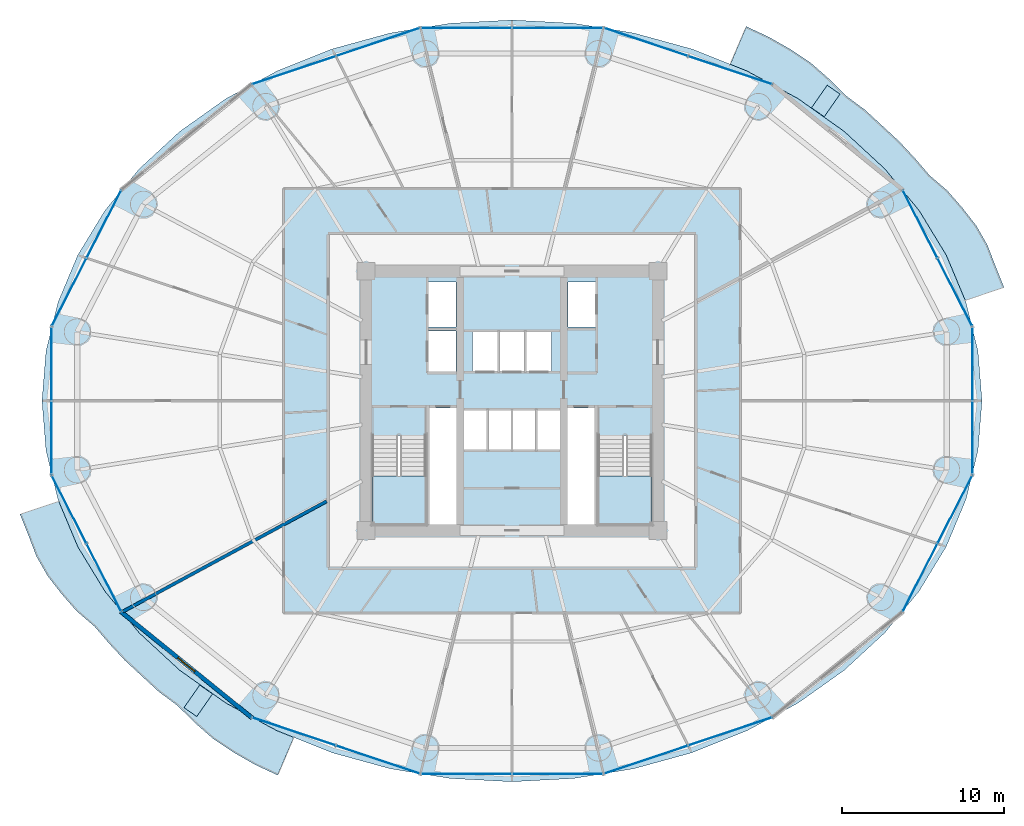
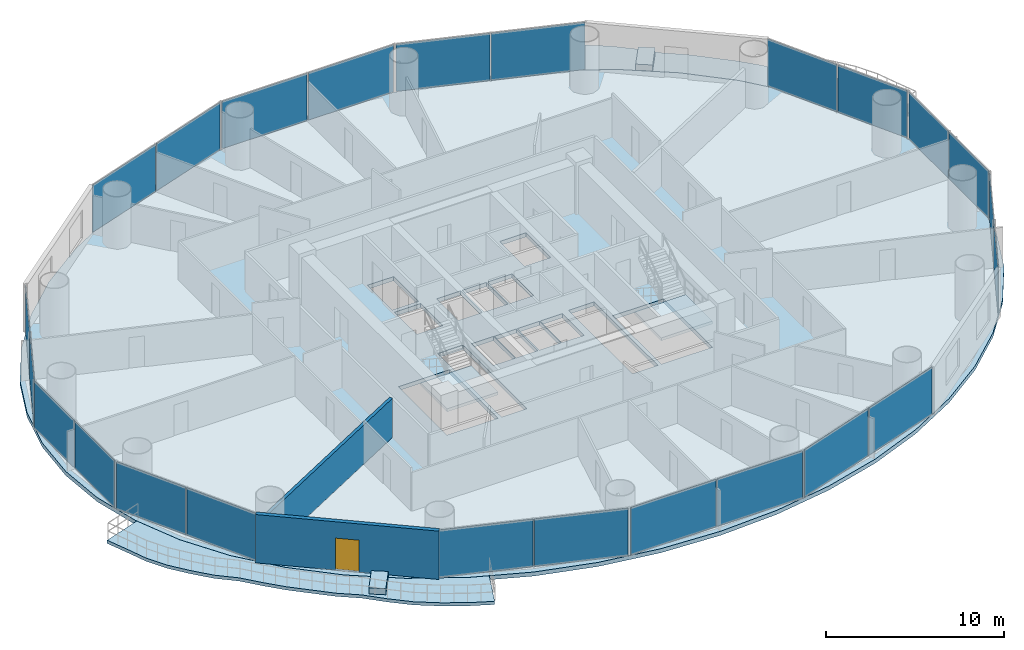
# One storey, part 22 of 30: 24 plates, 7 slabs, 2 walls, 1 door, 1 opening, 14 elements without a shape of their own.
"""IFC4 building model written with IfcOpenShell, lengths in metres."""

from ifc_helpers import new_model, si_unit, direction, frame, frame_2d, origin, origin_2d, place, context, subcontext, project, spatial, polyline, rectangle, outline, extrude, source, transform, mapped, material, layer, layer_set, type_object, element, fill, aggregate, save


model = new_model("IFC4")

# Units and contexts
model_context = context("Model", 3, precision=1e-05, world=origin(), true_north=direction((-0.2419218956, 0.970295726276)))
body_context = subcontext(model_context, "Body", "Model", "MODEL_VIEW")
ifc_project = project(units=[si_unit("LENGTHUNIT", "METRE"), si_unit("AREAUNIT", "SQUARE_METRE"), si_unit("VOLUMEUNIT", "CUBIC_METRE"), si_unit("PLANEANGLEUNIT", "RADIAN"), si_unit("MASSUNIT", "GRAM", prefix="KILO")], contexts=[model_context])

# Site, building, storey
site_placement = place(None, origin())
site = spatial("IfcSite", under=ifc_project, at=site_placement, CompositionType="ELEMENT")
building_placement = place(site_placement, origin())
building = spatial("IfcBuilding", under=site, at=building_placement, Name="Cobrevalo Terracotta Tower", CompositionType="ELEMENT")
storey_placement = place(building_placement, frame((0.0, 0.0, 63.60009765625)))
storey = spatial("IfcBuildingStorey", under=building, at=storey_placement, Name="L16", CompositionType="ELEMENT", Elevation=63.60009765625)

# Stair, slab
ifc_material_1 = material(Name="Concrete C50", Category="concrete")
stair_type = type_object("IfcStairType", Name="Core protected escape dogleg stair 1600", PredefinedType="HALF_TURN_STAIR", material=ifc_material_1)
stair_1_placement = place(storey_placement, origin())
stair_1 = element("IfcStair", 1, at=stair_1_placement, inside=storey, type_object=stair_type, Name="L16 Protected exit stair ST-1", PredefinedType="HALF_TURN_STAIR")
ifc_layer_1 = layer(ifc_material_1, 0.199951171875)
ifc_layer_set_1 = layer_set([ifc_layer_1], Name="Concrete C50")
slab_type_1 = type_object("IfcSlabType", Name="Reinforced Concrete Stair Landing 200", PredefinedType="LANDING", material=ifc_layer_set_1)
slab_1_placement = place(storey_placement, frame((0.0, 0.0, 1.599853515625)))
slab_1 = element("IfcSlab", 2, at=slab_1_placement, type_object=slab_type_1, Name="ST-1 landing 1", PredefinedType="LANDING", context=body_context, shape_type="SweptSolid", body=[
    extrude(outline(polyline([(29.375, 22.179931640625), (29.375, 19.175048828125), (32.695068359375, 19.175048828125), (32.695068359375, 22.179931640625), (29.375, 22.179931640625)])), origin(), (0.0, 0.0, 1.0), 0.199951171875),
])
aggregate(stair_1, [slab_1])

stair_2_placement = place(storey_placement, origin())
stair_2 = element("IfcStair", 3, at=stair_2_placement, inside=storey, type_object=stair_type, Name="L16 Protected exit stair ST-2", PredefinedType="HALF_TURN_STAIR")
slab_2_placement = place(storey_placement, frame((0.0, 0.0, 1.599853515625)))
slab_2 = element("IfcSlab", 4, at=slab_2_placement, type_object=slab_type_1, Name="ST-2 landing 1", PredefinedType="LANDING", context=body_context, shape_type="SweptSolid", body=[
    extrude(outline(polyline([(43.304931640625, 22.179931640625), (43.304931640625, 19.175048828125), (46.625, 19.175048828125), (46.625, 22.179931640625), (43.304931640625, 22.179931640625)])), origin(), (0.0, 0.0, 1.0), 0.199951171875),
])
aggregate(stair_2, [slab_2])

# Slabs
ifc_material_2 = material(Name="Concrete C45", Category="concrete")
ifc_layer_2 = layer(ifc_material_2, 0.219970703125)
ifc_layer_set_2 = layer_set([ifc_layer_2], Name="Concrete C45")
slab_type_2 = type_object("IfcSlabType", Name="Spiralling cantilevered balcony lobe slab 220 mm", PredefinedType="FLOOR", material=ifc_layer_set_2)
slab_3_placement = place(storey_placement, frame((0.0, 0.0, -0.22021484375)))
element("IfcSlab", 5, at=slab_3_placement, inside=storey, type_object=slab_type_2, Name="L16 spiralling arc balcony slab lobe 1", PredefinedType="FLOOR", context=body_context, shape_type="SweptSolid", body=[
    extrude(outline(polyline([(68.3564453125, 33.796630859375), (67.83935546875, 35.085693359375), (67.342041015625, 36.38427734375), (66.65087890625, 37.6005859375), (65.78125, 38.71875), (64.857666015625, 39.77294921875), (63.76513671875, 40.711181640625), (62.85400390625, 41.77197265625), (61.89404296875, 42.802978515625), (60.84521484375, 43.7744140625), (59.79443359375, 44.7412109375), (58.62646484375, 45.612060546875), (57.568115234375, 46.6572265625), (56.43896484375, 47.649169921875), (55.17431640625, 48.49267578125), (53.85400390625, 49.2451171875), (52.458740234375, 49.896728515625), (51.466552734375, 47.566650390625), (52.5009765625, 47.1533203125), (55.6552734375, 45.4453125), (58.507568359375, 43.41845703125), (61.0087890625, 41.107177734375), (63.116455078125, 38.551025390625), (64.79443359375, 35.7939453125), (65.96826171875, 32.991455078125), (68.3564453125, 33.796630859375)])), origin(), (0.0, 0.0, 1.0), 0.22021484375),
])
slab_4_placement = place(storey_placement, frame((0.0, 0.0, -0.22021484375)))
element("IfcSlab", 6, at=slab_4_placement, inside=storey, type_object=slab_type_2, Name="L16 spiralling arc balcony slab lobe 2", PredefinedType="FLOOR", context=body_context, shape_type="SweptSolid", body=[
    extrude(outline(polyline([(7.6435546875, 19.80322265625), (8.16064453125, 18.514404296875), (8.657958984375, 17.2158203125), (9.34912109375, 15.99951171875), (10.21875, 14.88134765625), (11.142333984375, 13.826904296875), (12.23486328125, 12.888671875), (13.14599609375, 11.827880859375), (14.10595703125, 10.797119140625), (15.15478515625, 9.825439453125), (16.20556640625, 8.85888671875), (17.37353515625, 7.988037109375), (18.431884765625, 6.94287109375), (19.56103515625, 5.95068359375), (20.82568359375, 5.107421875), (22.14599609375, 4.354736328125), (23.541259765625, 3.703369140625), (24.533447265625, 6.033203125), (23.4990234375, 6.44677734375), (20.3447265625, 8.154541015625), (17.492431640625, 10.181640625), (14.9912109375, 12.492919921875), (12.883544921875, 15.049072265625), (11.20556640625, 17.80615234375), (10.03173828125, 20.6083984375), (7.6435546875, 19.80322265625)])), origin(), (0.0, 0.0, 1.0), 0.22021484375),
])
ifc_material_3 = material(Name="Precast concrete C45", Category="concrete")
ifc_layer_3 = layer(ifc_material_3, 0.419921875)
ifc_layer_set_3 = layer_set([ifc_layer_3], Name="Precast concrete C45")
slab_type_3 = type_object("IfcSlabType", Name="Structural tree planter trough base 420 mm", PredefinedType="USERDEFINED", material=ifc_layer_set_3)
slab_5_placement = place(storey_placement, origin())
element("IfcSlab", 7, at=slab_5_placement, inside=storey, type_object=slab_type_3, Name="L16 structural tree planter trough 1", ObjectType="PLANTER", PredefinedType="USERDEFINED", context=body_context, shape_type="SweptSolid", body=[
    extrude(outline(polyline([(57.2666015625, 44.33203125), (58.237548828125, 45.7275390625), (57.449462890625, 46.27587890625), (56.478515625, 44.88037109375), (57.2666015625, 44.33203125)])), origin(), (0.0, 0.0, 1.0), 0.419921875),
])
slab_6_placement = place(storey_placement, origin())
element("IfcSlab", 8, at=slab_6_placement, inside=storey, type_object=slab_type_3, Name="L16 structural tree planter trough 2", ObjectType="PLANTER", PredefinedType="USERDEFINED", context=body_context, shape_type="SweptSolid", body=[
    extrude(outline(polyline([(18.7333984375, 9.267822265625), (17.762451171875, 7.872314453125), (18.550537109375, 7.32421875), (19.521484375, 8.7197265625), (18.7333984375, 9.267822265625)])), origin(), (0.0, 0.0, 1.0), 0.419921875),
])
ifc_layer_4 = layer(ifc_material_1, 0.280029296875)
ifc_layer_set_4 = layer_set([ifc_layer_4], Name="Concrete C50")
slab_type_4 = type_object("IfcSlabType", Name="Zone Z1 elliptical floor plate 280 mm", PredefinedType="FLOOR", material=ifc_layer_set_4)
slab_7_placement = place(storey_placement, frame((0.0, 0.0, -0.280029296875)))
element("IfcSlab", 9, at=slab_7_placement, inside=storey, type_object=slab_type_4, Name="L16 indoor elliptical floor slab", PredefinedType="FLOOR", context=body_context, shape_type="SweptSolid", body=[
    extrude(outline(polyline([(66.751953125, 23.732666015625), (66.011962890625, 20.7177734375), (64.79248046875, 17.806884765625), (63.11474609375, 15.050048828125), (61.00732421875, 12.494140625), (58.506103515625, 10.18310546875), (55.654052734375, 8.15625), (52.5, 6.448486328125), (49.097900390625, 5.0888671875), (45.505859375, 4.100830078125), (41.78515625, 3.5009765625), (38.0, 3.300048828125), (34.21484375, 3.5009765625), (30.494140625, 4.100830078125), (26.902099609375, 5.0888671875), (23.5, 6.448486328125), (20.345947265625, 8.15625), (17.493896484375, 10.18310546875), (14.99267578125, 12.494140625), (12.88525390625, 15.050048828125), (11.20751953125, 17.806884765625), (9.988037109375, 20.7177734375), (9.248046875, 23.732666015625), (9.0, 26.800048828125), (9.248046875, 29.867431640625), (9.988037109375, 32.88232421875), (11.20751953125, 35.79296875), (12.88525390625, 38.550048828125), (14.99267578125, 41.10595703125), (17.493896484375, 43.4169921875), (20.345947265625, 45.44384765625), (23.5, 47.151611328125), (26.902099609375, 48.51123046875), (30.494140625, 49.499267578125), (34.21484375, 50.098876953125), (38.0, 50.300048828125), (41.78515625, 50.098876953125), (45.505859375, 49.499267578125), (49.097900390625, 48.51123046875), (52.5, 47.151611328125), (55.654052734375, 45.44384765625), (58.506103515625, 43.4169921875), (61.00732421875, 41.10595703125), (63.11474609375, 38.550048828125), (64.79248046875, 35.79296875), (66.011962890625, 32.88232421875), (66.751953125, 29.867431640625), (67.0, 26.800048828125), (66.751953125, 23.732666015625)]), holes=[polyline([(32.695068359375, 19.175048828125), (32.695068359375, 24.659912109375), (29.375, 24.659912109375), (29.375, 19.175048828125), (32.695068359375, 19.175048828125)]), polyline([(34.574951171875, 19.175048828125), (34.574951171875, 26.360107421875), (32.919921875, 26.360107421875), (32.919921875, 19.175048828125), (34.574951171875, 19.175048828125)]), polyline([(36.47998046875, 23.800048828125), (36.47998046875, 26.25), (35.050048828125, 26.25), (35.050048828125, 23.800048828125), (36.47998046875, 23.800048828125)]), polyline([(37.9599609375, 23.800048828125), (37.9599609375, 26.25), (36.530029296875, 26.25), (36.530029296875, 23.800048828125), (37.9599609375, 23.800048828125)]), polyline([(37.1201171875, 28.60009765625), (37.1201171875, 31.050048828125), (35.550048828125, 31.050048828125), (35.550048828125, 28.60009765625), (37.1201171875, 28.60009765625)]), polyline([(34.550048828125, 28.60009765625), (34.550048828125, 31.10009765625), (32.85009765625, 31.10009765625), (32.85009765625, 28.60009765625), (34.550048828125, 28.60009765625)]), polyline([(34.550048828125, 31.35009765625), (34.550048828125, 34.14990234375), (32.85009765625, 34.14990234375), (32.85009765625, 31.35009765625), (34.550048828125, 31.35009765625)]), polyline([(46.625, 19.175048828125), (46.625, 24.659912109375), (43.304931640625, 24.659912109375), (43.304931640625, 19.175048828125), (46.625, 19.175048828125)]), polyline([(43.080078125, 19.175048828125), (43.080078125, 26.360107421875), (41.425048828125, 26.360107421875), (41.425048828125, 19.175048828125), (43.080078125, 19.175048828125)]), polyline([(39.469970703125, 23.800048828125), (39.469970703125, 26.25), (38.0400390625, 26.25), (38.0400390625, 23.800048828125), (39.469970703125, 23.800048828125)]), polyline([(40.949951171875, 23.800048828125), (40.949951171875, 26.25), (39.52001953125, 26.25), (39.52001953125, 23.800048828125), (40.949951171875, 23.800048828125)]), polyline([(38.780029296875, 28.60009765625), (38.780029296875, 31.050048828125), (37.219970703125, 31.050048828125), (37.219970703125, 28.60009765625), (38.780029296875, 28.60009765625)]), polyline([(40.449951171875, 28.60009765625), (40.449951171875, 31.050048828125), (38.8798828125, 31.050048828125), (38.8798828125, 28.60009765625), (40.449951171875, 28.60009765625)]), polyline([(43.14990234375, 31.35009765625), (43.14990234375, 34.14990234375), (41.449951171875, 34.14990234375), (41.449951171875, 31.35009765625), (43.14990234375, 31.35009765625)])]), origin(), (0.0, 0.0, 1.0), 0.280029296875),
])

# Curtain wall, plates
ifc_material_4 = material(Name="Anodized aluminium", Category="aluminium")
curtain_wall_type = type_object("IfcCurtainWallType", Name="Lower-tower unitised acoustic low-E curtain wall CW-U1", PredefinedType="NOTDEFINED", material=ifc_material_4)
curtain_wall_1_placement = place(storey_placement, origin())
curtain_wall_1 = element("IfcCurtainWall", 10, at=curtain_wall_1_placement, inside=storey, type_object=curtain_wall_type, Name="L16 curtain wall CW-L16-S03", PredefinedType="NOTDEFINED")
ifc_material_5 = material(Name="Solar-control low-E double glazing", Category="glass")
ifc_layer_5 = layer(ifc_material_5, 0.028076171875)
ifc_layer_set_5 = layer_set([ifc_layer_5], Name="Solar-control low-E double glazing")
plate_type = type_object("IfcPlateType", Name="Tower solar-control low-E vision glass panel 28 mm", PredefinedType="CURTAIN_PANEL", material=ifc_layer_set_5)
shared_shape_1 = source(origin(), body_context, "Body", "SweptSolid", [
    extrude(rectangle(XDim=5.3876953125, YDim=0.035888671875, at=origin_2d()), origin(), (0.0, 0.0, 1.0), 3.239990234375),
])
plate_1_placement = place(storey_placement, frame((51.465087890625, 47.197021484375, 0.0400390625), z_axis=(0.0, 0.0, 1.0), x_axis=(-0.948044172593, 0.318138722592, 0.0)))
plate_1 = element("IfcPlate", 11, at=plate_1_placement, type_object=plate_type, Name="CW-L16-S03 glazing panel B01", PredefinedType="CURTAIN_PANEL", context=body_context, shape_type="MappedRepresentation", body=[
    mapped(shared_shape_1, transform((0.0, 0.0, 0.0), scale=1.0)),
])
plate_2_placement = place(storey_placement, frame((46.281494140625, 48.9365234375, 0.0400390625), z_axis=(0.0, 0.0, 1.0), x_axis=(-0.948044172593, 0.318138722592, 0.0)))
plate_2 = element("IfcPlate", 12, at=plate_2_placement, type_object=plate_type, Name="CW-L16-S03 glazing panel B02", PredefinedType="CURTAIN_PANEL", context=body_context, shape_type="MappedRepresentation", body=[
    mapped(shared_shape_1, transform((0.0, 0.0, 0.0), scale=1.0)),
])
aggregate(curtain_wall_1, [plate_1, plate_2])

curtain_wall_2_placement = place(storey_placement, origin())
curtain_wall_2 = element("IfcCurtainWall", 13, at=curtain_wall_2_placement, inside=storey, type_object=curtain_wall_type, Name="L16 curtain wall CW-L16-S05", PredefinedType="NOTDEFINED")
plate_3_placement = place(storey_placement, frame((29.718505859375, 48.9365234375, 0.0400390625), z_axis=(0.0, 0.0, 1.0), x_axis=(-0.948044172593, -0.318138722592, 0.0)))
plate_3 = element("IfcPlate", 14, at=plate_3_placement, type_object=plate_type, Name="CW-L16-S05 glazing panel B01", PredefinedType="CURTAIN_PANEL", context=body_context, shape_type="MappedRepresentation", body=[
    mapped(shared_shape_1, transform((0.0, 0.0, 0.0), scale=1.0)),
])
plate_4_placement = place(storey_placement, frame((24.534912109375, 47.197021484375, 0.0400390625), z_axis=(0.0, 0.0, 1.0), x_axis=(-0.948044172593, -0.318138722592, 0.0)))
plate_4 = element("IfcPlate", 15, at=plate_4_placement, type_object=plate_type, Name="CW-L16-S05 glazing panel B02", PredefinedType="CURTAIN_PANEL", context=body_context, shape_type="MappedRepresentation", body=[
    mapped(shared_shape_1, transform((0.0, 0.0, 0.0), scale=1.0)),
])
aggregate(curtain_wall_2, [plate_3, plate_4])

curtain_wall_3_placement = place(storey_placement, origin())
curtain_wall_3 = element("IfcCurtainWall", 16, at=curtain_wall_3_placement, inside=storey, type_object=curtain_wall_type, Name="L16 curtain wall CW-L16-S11", PredefinedType="NOTDEFINED")
plate_5_placement = place(storey_placement, frame((24.534912109375, 6.40283203125, 0.0400390625), z_axis=(0.0, 0.0, 1.0), x_axis=(0.948044172593, -0.318138722592, 0.0)))
plate_5 = element("IfcPlate", 17, at=plate_5_placement, type_object=plate_type, Name="CW-L16-S11 glazing panel B01", PredefinedType="CURTAIN_PANEL", context=body_context, shape_type="MappedRepresentation", body=[
    mapped(shared_shape_1, transform((0.0, 0.0, 0.0), scale=1.0)),
])
plate_6_placement = place(storey_placement, frame((29.718505859375, 4.663330078125, 0.0400390625), z_axis=(0.0, 0.0, 1.0), x_axis=(0.948044172593, -0.318138722592, 0.0)))
plate_6 = element("IfcPlate", 18, at=plate_6_placement, type_object=plate_type, Name="CW-L16-S11 glazing panel B02", PredefinedType="CURTAIN_PANEL", context=body_context, shape_type="MappedRepresentation", body=[
    mapped(shared_shape_1, transform((0.0, 0.0, 0.0), scale=1.0)),
])
aggregate(curtain_wall_3, [plate_5, plate_6])

curtain_wall_4_placement = place(storey_placement, origin())
curtain_wall_4 = element("IfcCurtainWall", 19, at=curtain_wall_4_placement, inside=storey, type_object=curtain_wall_type, Name="L16 curtain wall CW-L16-S13", PredefinedType="NOTDEFINED")
plate_7_placement = place(storey_placement, frame((46.281494140625, 4.663330078125, 0.0400390625), z_axis=(0.0, 0.0, 1.0), x_axis=(0.948044172593, 0.318138722592, 0.0)))
plate_7 = element("IfcPlate", 20, at=plate_7_placement, type_object=plate_type, Name="CW-L16-S13 glazing panel B01", PredefinedType="CURTAIN_PANEL", context=body_context, shape_type="MappedRepresentation", body=[
    mapped(shared_shape_1, transform((0.0, 0.0, 0.0), scale=1.0)),
])
plate_8_placement = place(storey_placement, frame((51.465087890625, 6.40283203125, 0.0400390625), z_axis=(0.0, 0.0, 1.0), x_axis=(0.948044172593, 0.318138722592, 0.0)))
plate_8 = element("IfcPlate", 21, at=plate_8_placement, type_object=plate_type, Name="CW-L16-S13 glazing panel B02", PredefinedType="CURTAIN_PANEL", context=body_context, shape_type="MappedRepresentation", body=[
    mapped(shared_shape_1, transform((0.0, 0.0, 0.0), scale=1.0)),
])
aggregate(curtain_wall_4, [plate_7, plate_8])

curtain_wall_5_placement = place(storey_placement, origin())
curtain_wall_5 = element("IfcCurtainWall", 22, at=curtain_wall_5_placement, inside=storey, type_object=curtain_wall_type, Name="L16 curtain wall CW-L16-S04", PredefinedType="NOTDEFINED")
shared_shape_2 = source(origin(), body_context, "Body", "SweptSolid", [
    extrude(rectangle(XDim=5.53173828125, YDim=0.035888671875, at=origin_2d()), origin(), (0.0, 0.0, 1.0), 3.239990234375),
])
plate_9_placement = place(storey_placement, frame((40.805908203125, 49.819091796875, 0.0400390625), z_axis=(0.0, 0.0, 1.0), x_axis=(-1.0, 0.0, 0.0)))
plate_9 = element("IfcPlate", 23, at=plate_9_placement, type_object=plate_type, Name="CW-L16-S04 glazing panel B01", PredefinedType="CURTAIN_PANEL", context=body_context, shape_type="MappedRepresentation", body=[
    mapped(shared_shape_2, transform((0.0, 0.0, 0.0), scale=1.0)),
])
plate_10_placement = place(storey_placement, frame((35.194091796875, 49.819091796875, 0.0400390625), z_axis=(0.0, 0.0, 1.0), x_axis=(-1.0, 0.0, 0.0)))
plate_10 = element("IfcPlate", 24, at=plate_10_placement, type_object=plate_type, Name="CW-L16-S04 glazing panel B02", PredefinedType="CURTAIN_PANEL", context=body_context, shape_type="MappedRepresentation", body=[
    mapped(shared_shape_2, transform((0.0, 0.0, 0.0), scale=1.0)),
])
aggregate(curtain_wall_5, [plate_9, plate_10])

curtain_wall_6_placement = place(storey_placement, origin())
curtain_wall_6 = element("IfcCurtainWall", 25, at=curtain_wall_6_placement, inside=storey, type_object=curtain_wall_type, Name="L16 curtain wall CW-L16-S12", PredefinedType="NOTDEFINED")
plate_11_placement = place(storey_placement, frame((35.194091796875, 3.781005859375, 0.0400390625), z_axis=(0.0, 0.0, 1.0), x_axis=(1.0, 0.0, 0.0)))
plate_11 = element("IfcPlate", 26, at=plate_11_placement, type_object=plate_type, Name="CW-L16-S12 glazing panel B01", PredefinedType="CURTAIN_PANEL", context=body_context, shape_type="MappedRepresentation", body=[
    mapped(shared_shape_2, transform((0.0, 0.0, 0.0), scale=1.0)),
])
plate_12_placement = place(storey_placement, frame((40.805908203125, 3.781005859375, 0.0400390625), z_axis=(0.0, 0.0, 1.0), x_axis=(1.0, 0.0, 0.0)))
plate_12 = element("IfcPlate", 27, at=plate_12_placement, type_object=plate_type, Name="CW-L16-S12 glazing panel B02", PredefinedType="CURTAIN_PANEL", context=body_context, shape_type="MappedRepresentation", body=[
    mapped(shared_shape_2, transform((0.0, 0.0, 0.0), scale=1.0)),
])
aggregate(curtain_wall_6, [plate_11, plate_12])

curtain_wall_7_placement = place(storey_placement, origin())
curtain_wall_7 = element("IfcCurtainWall", 28, at=curtain_wall_7_placement, inside=storey, type_object=curtain_wall_type, Name="L16 curtain wall CW-L16-S08", PredefinedType="NOTDEFINED")
shared_shape_3 = source(origin(), body_context, "Body", "SweptSolid", [
    extrude(rectangle(XDim=4.458740234375, YDim=0.035888671875, at=origin_2d()), origin(), (0.0, 0.0, 1.0), 3.239990234375),
])
plate_13_placement = place(storey_placement, frame((9.586669921875, 29.0693359375, 0.0400390625), z_axis=(0.0, 0.0, 1.0), x_axis=(0.0, -1.0, 0.0)))
plate_13 = element("IfcPlate", 29, at=plate_13_placement, type_object=plate_type, Name="CW-L16-S08 glazing panel B01", PredefinedType="CURTAIN_PANEL", context=body_context, shape_type="MappedRepresentation", body=[
    mapped(shared_shape_3, transform((0.0, 0.0, 0.0), scale=1.0)),
])
plate_14_placement = place(storey_placement, frame((9.586669921875, 24.530517578125, 0.0400390625), z_axis=(0.0, 0.0, 1.0), x_axis=(0.0, -1.0, 0.0)))
plate_14 = element("IfcPlate", 30, at=plate_14_placement, type_object=plate_type, Name="CW-L16-S08 glazing panel B02", PredefinedType="CURTAIN_PANEL", context=body_context, shape_type="MappedRepresentation", body=[
    mapped(shared_shape_3, transform((0.0, 0.0, 0.0), scale=1.0)),
])
aggregate(curtain_wall_7, [plate_13, plate_14])

curtain_wall_8_placement = place(storey_placement, origin())
curtain_wall_8 = element("IfcCurtainWall", 31, at=curtain_wall_8_placement, inside=storey, type_object=curtain_wall_type, Name="L16 curtain wall CW-L16-S16", PredefinedType="NOTDEFINED")
plate_15_placement = place(storey_placement, frame((66.413330078125, 24.530517578125, 0.0400390625), z_axis=(0.0, 0.0, 1.0), x_axis=(0.0, 1.0, 0.0)))
plate_15 = element("IfcPlate", 32, at=plate_15_placement, type_object=plate_type, Name="CW-L16-S16 glazing panel B01", PredefinedType="CURTAIN_PANEL", context=body_context, shape_type="MappedRepresentation", body=[
    mapped(shared_shape_3, transform((0.0, 0.0, 0.0), scale=1.0)),
])
plate_16_placement = place(storey_placement, frame((66.413330078125, 29.0693359375, 0.0400390625), z_axis=(0.0, 0.0, 1.0), x_axis=(0.0, 1.0, 0.0)))
plate_16 = element("IfcPlate", 33, at=plate_16_placement, type_object=plate_type, Name="CW-L16-S16 glazing panel B02", PredefinedType="CURTAIN_PANEL", context=body_context, shape_type="MappedRepresentation", body=[
    mapped(shared_shape_3, transform((0.0, 0.0, 0.0), scale=1.0)),
])
aggregate(curtain_wall_8, [plate_15, plate_16])

curtain_wall_9_placement = place(storey_placement, origin())
curtain_wall_9 = element("IfcCurtainWall", 34, at=curtain_wall_9_placement, inside=storey, type_object=curtain_wall_type, Name="L16 curtain wall CW-L16-S01", PredefinedType="NOTDEFINED")
shared_shape_4 = source(origin(), body_context, "Body", "SweptSolid", [
    extrude(rectangle(XDim=4.631103515625, YDim=0.035888671875, at=origin_2d()), origin(), (0.0, 0.0, 1.0), 3.239990234375),
])
plate_17_placement = place(storey_placement, frame((65.32275390625, 33.51171875, 0.0400390625), z_axis=(0.0, 0.0, 1.0), x_axis=(-0.45523102861, 0.890373354605, 0.0)))
plate_17 = element("IfcPlate", 35, at=plate_17_placement, type_object=plate_type, Name="CW-L16-S01 glazing panel B01", PredefinedType="CURTAIN_PANEL", context=body_context, shape_type="MappedRepresentation", body=[
    mapped(shared_shape_4, transform((0.0, 0.0, 0.0), scale=1.0)),
])
plate_18_placement = place(storey_placement, frame((63.17822265625, 37.706298828125, 0.0400390625), z_axis=(0.0, 0.0, 1.0), x_axis=(-0.45523102861, 0.890373354605, 0.0)))
plate_18 = element("IfcPlate", 36, at=plate_18_placement, type_object=plate_type, Name="CW-L16-S01 glazing panel B02", PredefinedType="CURTAIN_PANEL", context=body_context, shape_type="MappedRepresentation", body=[
    mapped(shared_shape_4, transform((0.0, 0.0, 0.0), scale=1.0)),
])
aggregate(curtain_wall_9, [plate_17, plate_18])

curtain_wall_10_placement = place(storey_placement, origin())
curtain_wall_10 = element("IfcCurtainWall", 37, at=curtain_wall_10_placement, inside=storey, type_object=curtain_wall_type, Name="L16 curtain wall CW-L16-S07", PredefinedType="NOTDEFINED")
plate_19_placement = place(storey_placement, frame((12.82177734375, 37.706298828125, 0.0400390625), z_axis=(0.0, 0.0, 1.0), x_axis=(-0.45523102861, -0.890373354605, 0.0)))
plate_19 = element("IfcPlate", 38, at=plate_19_placement, type_object=plate_type, Name="CW-L16-S07 glazing panel B01", PredefinedType="CURTAIN_PANEL", context=body_context, shape_type="MappedRepresentation", body=[
    mapped(shared_shape_4, transform((0.0, 0.0, 0.0), scale=1.0)),
])
plate_20_placement = place(storey_placement, frame((10.67724609375, 33.51171875, 0.0400390625), z_axis=(0.0, 0.0, 1.0), x_axis=(-0.45523102861, -0.890373354605, 0.0)))
plate_20 = element("IfcPlate", 39, at=plate_20_placement, type_object=plate_type, Name="CW-L16-S07 glazing panel B02", PredefinedType="CURTAIN_PANEL", context=body_context, shape_type="MappedRepresentation", body=[
    mapped(shared_shape_4, transform((0.0, 0.0, 0.0), scale=1.0)),
])
aggregate(curtain_wall_10, [plate_19, plate_20])

curtain_wall_11_placement = place(storey_placement, origin())
curtain_wall_11 = element("IfcCurtainWall", 40, at=curtain_wall_11_placement, inside=storey, type_object=curtain_wall_type, Name="L16 curtain wall CW-L16-S09", PredefinedType="NOTDEFINED")
plate_21_placement = place(storey_placement, frame((10.67724609375, 20.08837890625, 0.0400390625), z_axis=(0.0, 0.0, 1.0), x_axis=(0.45523102861, -0.890373354605, 0.0)))
plate_21 = element("IfcPlate", 41, at=plate_21_placement, type_object=plate_type, Name="CW-L16-S09 glazing panel B01", PredefinedType="CURTAIN_PANEL", context=body_context, shape_type="MappedRepresentation", body=[
    mapped(shared_shape_4, transform((0.0, 0.0, 0.0), scale=1.0)),
])
plate_22_placement = place(storey_placement, frame((12.82177734375, 15.893798828125, 0.0400390625), z_axis=(0.0, 0.0, 1.0), x_axis=(0.45523102861, -0.890373354605, 0.0)))
plate_22 = element("IfcPlate", 42, at=plate_22_placement, type_object=plate_type, Name="CW-L16-S09 glazing panel B02", PredefinedType="CURTAIN_PANEL", context=body_context, shape_type="MappedRepresentation", body=[
    mapped(shared_shape_4, transform((0.0, 0.0, 0.0), scale=1.0)),
])
aggregate(curtain_wall_11, [plate_21, plate_22])

curtain_wall_12_placement = place(storey_placement, origin())
curtain_wall_12 = element("IfcCurtainWall", 43, at=curtain_wall_12_placement, inside=storey, type_object=curtain_wall_type, Name="L16 curtain wall CW-L16-S15", PredefinedType="NOTDEFINED")
plate_23_placement = place(storey_placement, frame((63.17822265625, 15.893798828125, 0.0400390625), z_axis=(0.0, 0.0, 1.0), x_axis=(0.45523102861, 0.890373354605, 0.0)))
plate_23 = element("IfcPlate", 44, at=plate_23_placement, type_object=plate_type, Name="CW-L16-S15 glazing panel B01", PredefinedType="CURTAIN_PANEL", context=body_context, shape_type="MappedRepresentation", body=[
    mapped(shared_shape_4, transform((0.0, 0.0, 0.0), scale=1.0)),
])
plate_24_placement = place(storey_placement, frame((65.32275390625, 20.08837890625, 0.0400390625), z_axis=(0.0, 0.0, 1.0), x_axis=(0.45523102861, 0.890373354605, 0.0)))
plate_24 = element("IfcPlate", 45, at=plate_24_placement, type_object=plate_type, Name="CW-L16-S15 glazing panel B02", PredefinedType="CURTAIN_PANEL", context=body_context, shape_type="MappedRepresentation", body=[
    mapped(shared_shape_4, transform((0.0, 0.0, 0.0), scale=1.0)),
])
aggregate(curtain_wall_12, [plate_23, plate_24])

# Wall
ifc_material_6 = material(Name="Autoclaved aerated concrete block", Category="concrete")
ifc_layer_6 = layer(ifc_material_6, 0.199951171875)
ifc_layer_set_6 = layer_set([ifc_layer_6], Name="Autoclaved aerated concrete block")
wall_type_1 = type_object("IfcWallType", Name="Fire-rated stair, shaft & demising masonry wall 200 mm", PredefinedType="PARTITIONING", material=ifc_layer_set_6)
wall_1_placement = place(storey_placement, frame((26.56494140625, 20.6083984375, 0.0), z_axis=(0.0, 0.0, 1.0), x_axis=(-0.879369737803, -0.476139542819, 0.0)))
element("IfcWall", 46, at=wall_1_placement, inside=storey, type_object=wall_type_1, Name="L16 interior partition IW-L16-DEM-2", PredefinedType="PARTITIONING", context=body_context, shape_type="SweptSolid", body=[
    extrude(rectangle(XDim=14.294921875, YDim=0.199951171875, at=frame_2d((7.1474609375, 0.0))), origin(), (0.0, 0.0, 1.0), 2.68798828125),
])

# Wall, opening, door
ifc_layer_7 = layer(ifc_material_6, 0.260009765625)
ifc_layer_set_7 = layer_set([ifc_layer_7], Name="Autoclaved aerated concrete block")
wall_type_2 = type_object("IfcWallType", Name="Recessed balcony loggia insulated exterior wall 260 mm", PredefinedType="SOLIDWALL", material=ifc_layer_set_7)
wall_2_placement = place(storey_placement, frame((13.85009765625, 13.81103515625, 0.0), z_axis=(0.0, 0.0, 1.0), x_axis=(0.777016782851, -0.629479879875, 0.0)))
wall_2 = element("IfcWall", 47, at=wall_2_placement, inside=storey, type_object=wall_type_2, Name="L16 balcony loggia wall S10", PredefinedType="SOLIDWALL", context=body_context, shape_type="SweptSolid", body=[
    extrude(rectangle(XDim=10.446533203125, YDim=0.260009765625, at=frame_2d((5.22314453125, 0.0))), origin(), (0.0, 0.0, 1.0), 3.31982421875),
])
opening_placement = place(wall_2_placement, frame((4.54833984375, 0.0, 0.0)))
opening = element("IfcOpeningElement", 48, at=opening_placement, cuts=wall_2, Name="Opening ED-05", PredefinedType="OPENING", context=body_context, shape_type="SweptSolid", body=[
    extrude(rectangle(XDim=1.35009765625, YDim=2.199951171875, at=frame_2d((0.675048828125, 1.10009765625))), frame((0.0, 0.14013671875, 0.0), z_axis=(0.0, -1.0, 0.0), x_axis=(1.0, 0.0, 0.0)), (0.0, 0.0, 1.0), 0.280029296875),
])
ifc_material_7 = material(Name="Anodized aluminium and laminated glass", Category="aluminium")
door_type = type_object("IfcDoorType", Name="Suite balcony acoustic glazed terrace door 1350x2200", OperationType="NOTDEFINED", PredefinedType="DOOR", material=ifc_material_7)
shared_shape_5 = source(origin(), body_context, "Body", "SweptSolid", [
    extrude(rectangle(XDim=1.35009765625, YDim=2.199951171875, at=frame_2d((0.675048828125, 1.10009765625))), frame((0.0, 0.02490234375, 0.0), z_axis=(0.0, -1.0, 0.0), x_axis=(1.0, 0.0, 0.0)), (0.0, 0.0, 1.0), 0.050048828125),
])
door_placement = place(opening_placement, frame((1.35009765625, 0.0, 0.0), z_axis=(0.0, 0.0, 1.0), x_axis=(-1.0, 0.0, 0.0)))
door = element("IfcDoor", 49, at=door_placement, inside=storey, type_object=door_type, Name="L16 glazed balcony terrace door 2", OperationType="SINGLE_SWING_RIGHT", OverallHeight=2.199951171875, OverallWidth=1.35009765625, PredefinedType="DOOR", context=body_context, shape_type="MappedRepresentation", body=[
    mapped(shared_shape_5, transform((0.0, 0.0, 0.0), scale=1.0)),
])
fill(opening, door)

save(model, "model.ifc")
